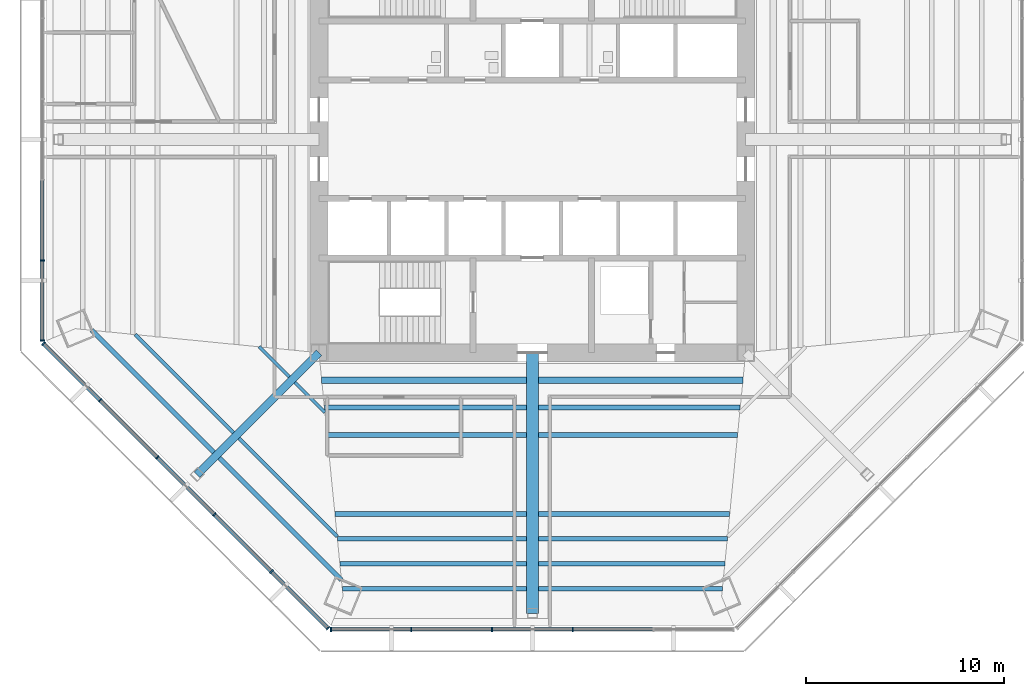
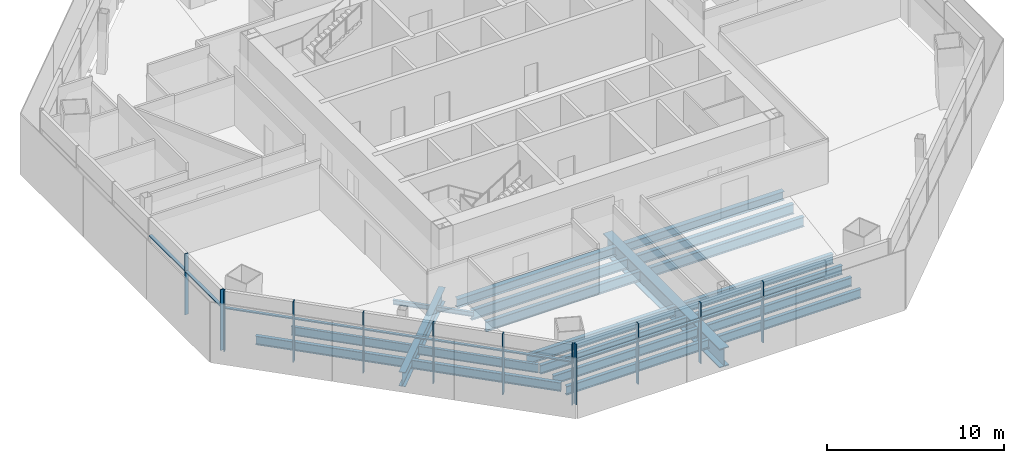
# One storey, part 2 of 14: 23 members, 22 beams, 3 elements without a shape of their own.
"""IFC4 building model written with IfcOpenShell, lengths in metres."""

from ifc_helpers import new_model, si_unit, direction, frame, origin, origin_2d, place, context, subcontext, project, spatial, rectangle, i_section, extrude, source, transform, mapped, material, material_profile, profile_set, type_object, type_shapes, element, aggregate, save


model = new_model("IFC4")

# Units and contexts
model_context = context("Model", 3, precision=1e-05, world=origin(), true_north=direction((0.0, 1.0)))
body_context = subcontext(model_context, "Body", "Model", "MODEL_VIEW")
ifc_project = project(units=[si_unit("LENGTHUNIT", "METRE"), si_unit("AREAUNIT", "SQUARE_METRE"), si_unit("VOLUMEUNIT", "CUBIC_METRE"), si_unit("PLANEANGLEUNIT", "RADIAN"), si_unit("MASSUNIT", "GRAM", prefix="KILO")], contexts=[model_context])

# Site, building, storey
site_placement = place(None, origin())
site = spatial("IfcSite", under=ifc_project, at=site_placement, CompositionType="ELEMENT")
building_placement = place(site_placement, origin())
building = spatial("IfcBuilding", under=site, at=building_placement, Name="Mashrafa Tower", CompositionType="ELEMENT")
storey_placement = place(building_placement, frame((0.0, 0.0, 113.39990234375)))
storey = spatial("IfcBuildingStorey", under=building, at=storey_placement, Name="L25", CompositionType="ELEMENT", Elevation=113.39990234375)

# Beams
ifc_material_1 = material(Name="Steel ASTM A572 Gr 50", Category="steel")
ifc_material_profile_1 = material_profile(ifc_material_1, i_section(OverallWidth=0.60009765625, OverallDepth=1.300048828125, WebThickness=0.028076171875, FlangeThickness=0.06494140625, at=origin_2d()), Name="H1300X600X28X65")
ifc_profile_set_1 = profile_set([ifc_material_profile_1], Name="Steel ASTM A572 Gr 50")
beam_type_1 = type_object("IfcBeamType", Name="Beam H1300X600X28X65", PredefinedType="BEAM", material=ifc_profile_set_1)
beam_1_placement = place(storey_placement, frame((0.0, -10.800048828125, -0.81494140625), z_axis=(0.0, -1.0, 0.0), x_axis=(1.0, 0.0, 0.0)))
element("IfcBeam", 1, at=beam_1_placement, inside=storey, type_object=beam_type_1, Name="Radial girder L25 084", PredefinedType="BEAM", context=body_context, shape_type="SweptSolid", body=[
    extrude(i_section(OverallWidth=0.60009765625, OverallDepth=1.300048828125, WebThickness=0.028076171875, FlangeThickness=0.06494140625, at=origin_2d()), origin(), (0.0, 0.0, 1.0), 13.21142578125),
])
ifc_material_2 = material(Name="Steel ASTM A992", Category="steel")
ifc_material_profile_2 = material_profile(ifc_material_2, i_section(OverallWidth=0.164794921875, OverallDepth=0.309814453125, WebThickness=0.005859375, FlangeThickness=0.009765625, FilletRadius=0.007568359375, at=origin_2d()), Name="W12X26")
ifc_profile_set_2 = profile_set([ifc_material_profile_2], Name="Steel ASTM A992")
beam_type_2 = type_object("IfcBeamType", Name="Beam W12X26", PredefinedType="BEAM", material=ifc_profile_set_2)
for number, where, z_axis, x_axis, name in (
    (2, (-12.306396484375, -12.0224609375, -0.31982421875), (-0.707050042428, 0.707163515393, 0.0), (-0.707163515393, -0.707050042428, 0.0), "Floor beam L25 022"),
    (3, (-10.5009765625, -13.82763671875, -0.31982421875), (-0.707163515393, 0.707050042428, 0.0), (-0.707050042428, -0.707163515393, 0.0), "Floor beam L25 026"),
):
    element("IfcBeam", number, at=place(storey_placement, frame(where, z_axis=z_axis, x_axis=x_axis)), inside=storey, type_object=beam_type_2, Name=name, PredefinedType="BEAM", context=body_context, shape_type="SweptSolid", body=[
        extrude(i_section(OverallWidth=0.164794921875, OverallDepth=0.309814453125, WebThickness=0.005859375, FlangeThickness=0.009765625, FilletRadius=0.007568359375, at=origin_2d()), origin(), (0.0, 0.0, 1.0), 2.151611328125),
    ])
ifc_material_3 = material(Name="Steel ASTM A992", Category="steel")
ifc_material_profile_3 = material_profile(ifc_material_3, i_section(OverallWidth=0.3251953125, OverallDepth=0.612060546875, WebThickness=0.0126953125, FlangeThickness=0.01904296875, FilletRadius=0.0126953125, at=origin_2d()), Name="W24X104")
ifc_profile_set_3 = profile_set([ifc_material_profile_3], Name="Steel ASTM A992")
beam_type_3 = type_object("IfcBeamType", Name="Beam W24X104", PredefinedType="BEAM", material=ifc_profile_set_3)
for number, where, z_axis, x_axis, name in (
    (4, (-0.300048828125, -12.18896484375, -0.470947265625), (-1.0, 0.0, 0.0), (0.0, -1.0, 0.0), "Floor beam L25 040"),
    (5, (10.662841796875, -12.18896484375, -0.470947265625), (-1.0, 0.0, 0.0), (0.0, -1.0, 0.0), "Floor beam L25 057"),
):
    element("IfcBeam", number, at=place(storey_placement, frame(where, z_axis=z_axis, x_axis=x_axis)), inside=storey, type_object=beam_type_3, Name=name, PredefinedType="BEAM", context=body_context, shape_type="SweptSolid", body=[
        extrude(i_section(OverallWidth=0.3251953125, OverallDepth=0.612060546875, WebThickness=0.0126953125, FlangeThickness=0.01904296875, FilletRadius=0.0126953125, at=origin_2d()), origin(), (0.0, 0.0, 1.0), 10.36279296875),
    ])
ifc_material_4 = material(Name="Steel ASTM A992", Category="steel")
ifc_material_profile_4 = material_profile(ifc_material_4, i_section(OverallWidth=0.177978515625, OverallDepth=0.599365234375, WebThickness=0.010009765625, FlangeThickness=0.012939453125, FilletRadius=0.012939453125, at=origin_2d()), Name="W24X55")
ifc_profile_set_4 = profile_set([ifc_material_profile_4], Name="Steel ASTM A992")
beam_type_4 = type_object("IfcBeamType", Name="Beam W24X55", PredefinedType="BEAM", material=ifc_profile_set_4)
for number, where, z_axis, x_axis, name in (
    (6, (-15.134765625, -14.850830078125, -0.464599609375), (-0.707106781187, 0.707106781187, 0.0), (-0.707106781187, -0.707106781187, 0.0), "Floor beam L25 013"),
    (7, (-9.881103515625, -20.1044921875, -0.464599609375), (-0.707106781187, 0.707106781187, 0.0), (-0.707106781187, -0.707106781187, 0.0), "Floor beam L25 029"),
):
    element("IfcBeam", number, at=place(storey_placement, frame(where, z_axis=z_axis, x_axis=x_axis)), inside=storey, type_object=beam_type_4, Name=name, PredefinedType="BEAM", context=body_context, shape_type="SweptSolid", body=[
        extrude(i_section(OverallWidth=0.177978515625, OverallDepth=0.599365234375, WebThickness=0.010009765625, FlangeThickness=0.012939453125, FilletRadius=0.012939453125, at=origin_2d()), origin(), (0.0, 0.0, 1.0), 7.0283203125),
    ])
ifc_material_5 = material(Name="Steel ASTM A992", Category="steel")
ifc_material_profile_5 = material_profile(ifc_material_5, i_section(OverallWidth=0.228271484375, OverallDepth=0.607177734375, WebThickness=0.01123046875, FlangeThickness=0.017333984375, FilletRadius=0.0126953125, at=origin_2d()), Name="W24X76")
ifc_profile_set_5 = profile_set([ifc_material_profile_5], Name="Steel ASTM A992")
beam_type_5 = type_object("IfcBeamType", Name="Beam W24X76", PredefinedType="BEAM", material=ifc_profile_set_5)
for number, where, z_axis, x_axis, name in (
    (8, (-16.127685546875, -15.84375, -0.468505859375), (-0.707106781187, 0.707106781187, 0.0), (-0.707106781187, -0.707106781187, 0.0), "Floor beam L25 011"),
    (9, (-9.66357421875, -22.307861328125, -0.468505859375), (-0.707106781187, 0.707106781187, 0.0), (-0.707106781187, -0.707106781187, 0.0), "Floor beam L25 032"),
):
    element("IfcBeam", number, at=place(storey_placement, frame(where, z_axis=z_axis, x_axis=x_axis)), inside=storey, type_object=beam_type_5, Name=name, PredefinedType="BEAM", context=body_context, shape_type="SweptSolid", body=[
        extrude(i_section(OverallWidth=0.228271484375, OverallDepth=0.607177734375, WebThickness=0.01123046875, FlangeThickness=0.017333984375, FilletRadius=0.0126953125, at=origin_2d()), origin(), (0.0, 0.0, 1.0), 8.739990234375),
    ])
ifc_material_6 = material(Name="Steel ASTM A992", Category="steel")
ifc_material_profile_6 = material_profile(ifc_material_6, i_section(OverallWidth=0.22900390625, OverallDepth=0.612060546875, WebThickness=0.011962890625, FlangeThickness=0.01953125, FilletRadius=0.0126953125, at=origin_2d()), Name="W24X84")
ifc_profile_set_6 = profile_set([ifc_material_profile_6], Name="Steel ASTM A992")
beam_type_6 = type_object("IfcBeamType", Name="Beam W24X84", PredefinedType="BEAM", material=ifc_profile_set_6)
beam_2_placement = place(storey_placement, frame((-0.300048828125, -22.75048828125, -0.470947265625), z_axis=(-1.0, 0.0, 0.0), x_axis=(0.0, -1.0, 0.0)))
element("IfcBeam", 10, at=beam_2_placement, inside=storey, type_object=beam_type_6, Name="Floor beam L25 034", PredefinedType="BEAM", context=body_context, shape_type="SweptSolid", body=[
    extrude(i_section(OverallWidth=0.22900390625, OverallDepth=0.612060546875, WebThickness=0.011962890625, FlangeThickness=0.01953125, FilletRadius=0.0126953125, at=origin_2d()), origin(), (0.0, 0.0, 1.0), 9.31982421875),
])
beam_3_placement = place(storey_placement, frame((-0.300048828125, -21.4892578125, -0.470947265625), z_axis=(-1.0, 0.0, 0.0), x_axis=(0.0, -1.0, 0.0)))
element("IfcBeam", 11, at=beam_3_placement, inside=storey, type_object=beam_type_6, Name="Floor beam L25 035", PredefinedType="BEAM", context=body_context, shape_type="SweptSolid", body=[
    extrude(i_section(OverallWidth=0.22900390625, OverallDepth=0.612060546875, WebThickness=0.011962890625, FlangeThickness=0.01953125, FilletRadius=0.0126953125, at=origin_2d()), origin(), (0.0, 0.0, 1.0), 9.4443359375),
])
beam_4_placement = place(storey_placement, frame((-0.300048828125, -20.22802734375, -0.470947265625), z_axis=(-1.0, 0.0, 0.0), x_axis=(0.0, -1.0, 0.0)))
element("IfcBeam", 12, at=beam_4_placement, inside=storey, type_object=beam_type_6, Name="Floor beam L25 036", PredefinedType="BEAM", context=body_context, shape_type="SweptSolid", body=[
    extrude(i_section(OverallWidth=0.22900390625, OverallDepth=0.612060546875, WebThickness=0.011962890625, FlangeThickness=0.01953125, FilletRadius=0.0126953125, at=origin_2d()), origin(), (0.0, 0.0, 1.0), 9.56884765625),
])
beam_5_placement = place(storey_placement, frame((9.619873046875, -22.75048828125, -0.470947265625), z_axis=(-1.0, 0.0, 0.0), x_axis=(0.0, -1.0, 0.0)))
element("IfcBeam", 13, at=beam_5_placement, inside=storey, type_object=beam_type_6, Name="Floor beam L25 048", PredefinedType="BEAM", context=body_context, shape_type="SweptSolid", body=[
    extrude(i_section(OverallWidth=0.22900390625, OverallDepth=0.612060546875, WebThickness=0.011962890625, FlangeThickness=0.01953125, FilletRadius=0.0126953125, at=origin_2d()), origin(), (0.0, 0.0, 1.0), 9.31982421875),
])
beam_6_placement = place(storey_placement, frame((9.744384765625, -21.4892578125, -0.470947265625), z_axis=(-1.0, 0.0, 0.0), x_axis=(0.0, -1.0, 0.0)))
element("IfcBeam", 14, at=beam_6_placement, inside=storey, type_object=beam_type_6, Name="Floor beam L25 050", PredefinedType="BEAM", context=body_context, shape_type="SweptSolid", body=[
    extrude(i_section(OverallWidth=0.22900390625, OverallDepth=0.612060546875, WebThickness=0.011962890625, FlangeThickness=0.01953125, FilletRadius=0.0126953125, at=origin_2d()), origin(), (0.0, 0.0, 1.0), 9.4443359375),
])
beam_7_placement = place(storey_placement, frame((9.868896484375, -20.22802734375, -0.470947265625), z_axis=(-1.0, 0.0, 0.0), x_axis=(0.0, -1.0, 0.0)))
element("IfcBeam", 15, at=beam_7_placement, inside=storey, type_object=beam_type_6, Name="Floor beam L25 051", PredefinedType="BEAM", context=body_context, shape_type="SweptSolid", body=[
    extrude(i_section(OverallWidth=0.22900390625, OverallDepth=0.612060546875, WebThickness=0.011962890625, FlangeThickness=0.01953125, FilletRadius=0.0126953125, at=origin_2d()), origin(), (0.0, 0.0, 1.0), 9.56884765625),
])
ifc_material_7 = material(Name="Steel ASTM A992", Category="steel")
ifc_material_profile_7 = material_profile(ifc_material_7, i_section(OverallWidth=0.25390625, OverallDepth=0.67822265625, WebThickness=0.01171875, FlangeThickness=0.016357421875, FilletRadius=0.01513671875, at=origin_2d()), Name="W27X84")
ifc_profile_set_7 = profile_set([ifc_material_profile_7], Name="Steel ASTM A992")
beam_type_7 = type_object("IfcBeamType", Name="Beam W27X84", PredefinedType="BEAM", material=ifc_profile_set_7)
for number, where, z_axis, x_axis, name in (
    (16, (-0.300048828125, -18.967041015625, -0.50390625), (-1.0, 0.0, 0.0), (0.0, -1.0, 0.0), "Floor beam L25 037"),
    (17, (9.993408203125, -18.967041015625, -0.50390625), (-1.0, 0.0, 0.0), (0.0, -1.0, 0.0), "Floor beam L25 053"),
):
    element("IfcBeam", number, at=place(storey_placement, frame(where, z_axis=z_axis, x_axis=x_axis)), inside=storey, type_object=beam_type_7, Name=name, PredefinedType="BEAM", context=body_context, shape_type="SweptSolid", body=[
        extrude(i_section(OverallWidth=0.25390625, OverallDepth=0.67822265625, WebThickness=0.01171875, FlangeThickness=0.016357421875, FilletRadius=0.01513671875, at=origin_2d()), origin(), (0.0, 0.0, 1.0), 9.693359375),
    ])
ifc_material_8 = material(Name="Steel ASTM A992", Category="steel")
ifc_material_profile_8 = material_profile(ifc_material_8, i_section(OverallWidth=0.25390625, OverallDepth=0.683349609375, WebThickness=0.012451171875, FlangeThickness=0.01904296875, FilletRadius=0.01513671875, at=origin_2d()), Name="W27X94")
ifc_profile_set_8 = profile_set([ifc_material_profile_8], Name="Steel ASTM A992")
beam_type_8 = type_object("IfcBeamType", Name="Beam W27X94", PredefinedType="BEAM", material=ifc_profile_set_8)
beam_8_placement = place(storey_placement, frame((-0.300048828125, -14.967041015625, -0.506591796875), z_axis=(-1.0, 0.0, 0.0), x_axis=(0.0, -1.0, 0.0)))
element("IfcBeam", 18, at=beam_8_placement, inside=storey, type_object=beam_type_8, Name="Floor beam L25 038", PredefinedType="BEAM", context=body_context, shape_type="SweptSolid", body=[
    extrude(i_section(OverallWidth=0.25390625, OverallDepth=0.683349609375, WebThickness=0.012451171875, FlangeThickness=0.01904296875, FilletRadius=0.01513671875, at=origin_2d()), origin(), (0.0, 0.0, 1.0), 10.08837890625),
])
beam_9_placement = place(storey_placement, frame((-0.300048828125, -13.577880859375, -0.506591796875), z_axis=(-1.0, 0.0, 0.0), x_axis=(0.0, -1.0, 0.0)))
element("IfcBeam", 19, at=beam_9_placement, inside=storey, type_object=beam_type_8, Name="Floor beam L25 039", PredefinedType="BEAM", context=body_context, shape_type="SweptSolid", body=[
    extrude(i_section(OverallWidth=0.25390625, OverallDepth=0.683349609375, WebThickness=0.012451171875, FlangeThickness=0.01904296875, FilletRadius=0.01513671875, at=origin_2d()), origin(), (0.0, 0.0, 1.0), 10.2255859375),
])
beam_10_placement = place(storey_placement, frame((10.388427734375, -14.967041015625, -0.506591796875), z_axis=(-1.0, 0.0, 0.0), x_axis=(0.0, -1.0, 0.0)))
element("IfcBeam", 20, at=beam_10_placement, inside=storey, type_object=beam_type_8, Name="Floor beam L25 054", PredefinedType="BEAM", context=body_context, shape_type="SweptSolid", body=[
    extrude(i_section(OverallWidth=0.25390625, OverallDepth=0.683349609375, WebThickness=0.012451171875, FlangeThickness=0.01904296875, FilletRadius=0.01513671875, at=origin_2d()), origin(), (0.0, 0.0, 1.0), 10.08837890625),
])
beam_11_placement = place(storey_placement, frame((10.525634765625, -13.577880859375, -0.506591796875), z_axis=(-1.0, 0.0, 0.0), x_axis=(0.0, -1.0, 0.0)))
element("IfcBeam", 21, at=beam_11_placement, inside=storey, type_object=beam_type_8, Name="Floor beam L25 056", PredefinedType="BEAM", context=body_context, shape_type="SweptSolid", body=[
    extrude(i_section(OverallWidth=0.25390625, OverallDepth=0.683349609375, WebThickness=0.012451171875, FlangeThickness=0.01904296875, FilletRadius=0.01513671875, at=origin_2d()), origin(), (0.0, 0.0, 1.0), 10.2255859375),
])
ifc_material_9 = material(Name="Steel ASTM A992", Category="steel")
ifc_material_profile_9 = material_profile(ifc_material_9, i_section(OverallWidth=0.4013671875, OverallDepth=0.98291015625, WebThickness=0.0166015625, FlangeThickness=0.027099609375, FilletRadius=0.0126953125, at=origin_2d()), Name="W40X199")
ifc_profile_set_9 = profile_set([ifc_material_profile_9], Name="Steel ASTM A992")
beam_type_9 = type_object("IfcBeamType", Name="Beam W40X199", PredefinedType="BEAM", material=ifc_profile_set_9)
beam_12_placement = place(storey_placement, frame((-10.800048828125, -10.800048828125, -0.656494140625), z_axis=(-0.707106781187, -0.707106781187, 0.0), x_axis=(0.707106781187, -0.707106781187, 0.0)))
element("IfcBeam", 22, at=beam_12_placement, inside=storey, type_object=beam_type_9, Name="Radial girder L25 081", PredefinedType="BEAM", context=body_context, shape_type="SweptSolid", body=[
    extrude(i_section(OverallWidth=0.4013671875, OverallDepth=0.98291015625, WebThickness=0.0166015625, FlangeThickness=0.027099609375, FilletRadius=0.0126953125, at=origin_2d()), origin(), (0.0, 0.0, 1.0), 8.738037109375),
])

# Curtain wall, members
ifc_material_10 = material(Name="Unitised aluminium curtain wall", Category="aluminium")
curtain_wall_type = type_object("IfcCurtainWallType", Name="Office curtain wall, zone 2 CW-B 225 deep", PredefinedType="NOTDEFINED", material=ifc_material_10)
curtain_wall_1_placement = place(storey_placement, origin())
curtain_wall_1 = element("IfcCurtainWall", 23, at=curtain_wall_1_placement, inside=storey, type_object=curtain_wall_type, Name="Office curtain wall, zone 2 L25 west", PredefinedType="NOTDEFINED")
ifc_material_11 = material(Name="Extruded aluminium mullion", Category="aluminium")
ifc_material_profile_10 = material_profile(ifc_material_11, rectangle(XDim=0.22509765625, YDim=0.06494140625, at=origin_2d()), Name="Mullion 65x225")
ifc_profile_set_10 = profile_set([ifc_material_profile_10], Name="Extruded aluminium mullion")
member_type_1 = type_object("IfcMemberType", Name="Mullion CW-B 65 x 225", PredefinedType="MULLION", material=ifc_profile_set_10)
shared_shape_1 = source(origin(), body_context, "Body", "SweptSolid", [
    extrude(rectangle(XDim=0.22509765625, YDim=0.06494140625, at=origin_2d()), origin(), (0.0, 0.0, 1.0), 4.2001953125),
])
type_shapes(member_type_1, [shared_shape_1])
member_1_placement = place(storey_placement, frame((-24.806884765625, -6.13134765625, 0.0), z_axis=(0.0, 0.0, 1.0), x_axis=(1.0, 0.0, 0.0)))
member_1 = element("IfcMember", 24, at=member_1_placement, type_object=member_type_1, Name="CW-B mullion 5", PredefinedType="MULLION", context=body_context, shape_type="MappedRepresentation", body=[
    mapped(shared_shape_1, transform((0.0, 0.0, 0.0))),
])
member_2_placement = place(storey_placement, frame((-24.806884765625, -10.186279296875, 0.0), z_axis=(0.0, 0.0, 1.0), x_axis=(1.0, 0.0, 0.0)))
member_2 = element("IfcMember", 25, at=member_2_placement, type_object=member_type_1, Name="CW-B mullion 6", PredefinedType="MULLION", context=body_context, shape_type="MappedRepresentation", body=[
    mapped(shared_shape_1, transform((0.0, 0.0, 0.0))),
])

curtain_wall_2_placement = place(storey_placement, origin())
curtain_wall_2 = element("IfcCurtainWall", 26, at=curtain_wall_2_placement, inside=storey, type_object=curtain_wall_type, Name="Office curtain wall, zone 2 L25 south-west", PredefinedType="NOTDEFINED")
member_3_placement = place(storey_placement, frame((-24.743896484375, -10.33837890625, 0.0), z_axis=(0.0, 0.0, 1.0), x_axis=(0.707106781187, 0.707106781187, 0.0)))
member_3 = element("IfcMember", 27, at=member_3_placement, type_object=member_type_1, Name="CW-B mullion 1", PredefinedType="MULLION", context=body_context, shape_type="MappedRepresentation", body=[
    mapped(shared_shape_1, transform((0.0, 0.0, 0.0))),
])
member_4_placement = place(storey_placement, frame((-21.87646484375, -13.20556640625, 0.0), z_axis=(0.0, 0.0, 1.0), x_axis=(0.707106781187, 0.707106781187, 0.0)))
member_4 = element("IfcMember", 28, at=member_4_placement, type_object=member_type_1, Name="CW-B mullion 2", PredefinedType="MULLION", context=body_context, shape_type="MappedRepresentation", body=[
    mapped(shared_shape_1, transform((0.0, 0.0, 0.0))),
])
member_5_placement = place(storey_placement, frame((-18.986083984375, -16.095947265625, 0.0), z_axis=(0.0, 0.0, 1.0), x_axis=(0.707106781187, 0.707106781187, 0.0)))
member_5 = element("IfcMember", 29, at=member_5_placement, type_object=member_type_1, Name="CW-B mullion 3", PredefinedType="MULLION", context=body_context, shape_type="MappedRepresentation", body=[
    mapped(shared_shape_1, transform((0.0, 0.0, 0.0))),
])
member_6_placement = place(storey_placement, frame((-16.095947265625, -18.986083984375, 0.0), z_axis=(0.0, 0.0, 1.0), x_axis=(0.707106781187, 0.707106781187, 0.0)))
member_6 = element("IfcMember", 30, at=member_6_placement, type_object=member_type_1, Name="CW-B mullion 4", PredefinedType="MULLION", context=body_context, shape_type="MappedRepresentation", body=[
    mapped(shared_shape_1, transform((0.0, 0.0, 0.0))),
])
member_7_placement = place(storey_placement, frame((-13.20556640625, -21.87646484375, 0.0), z_axis=(0.0, 0.0, 1.0), x_axis=(0.707106781187, 0.707106781187, 0.0)))
member_7 = element("IfcMember", 31, at=member_7_placement, type_object=member_type_1, Name="CW-B mullion 5", PredefinedType="MULLION", context=body_context, shape_type="MappedRepresentation", body=[
    mapped(shared_shape_1, transform((0.0, 0.0, 0.0))),
])
member_8_placement = place(storey_placement, frame((-10.33837890625, -24.743896484375, 0.0), z_axis=(0.0, 0.0, 1.0), x_axis=(0.707106781187, 0.707106781187, 0.0)))
member_8 = element("IfcMember", 32, at=member_8_placement, type_object=member_type_1, Name="CW-B mullion 6", PredefinedType="MULLION", context=body_context, shape_type="MappedRepresentation", body=[
    mapped(shared_shape_1, transform((0.0, 0.0, 0.0))),
])

curtain_wall_3_placement = place(storey_placement, origin())
curtain_wall_3 = element("IfcCurtainWall", 33, at=curtain_wall_3_placement, inside=storey, type_object=curtain_wall_type, Name="Office curtain wall, zone 2 L25 south", PredefinedType="NOTDEFINED")
member_9_placement = place(storey_placement, frame((-10.186279296875, -24.806884765625, 0.0), z_axis=(0.0, 0.0, 1.0), x_axis=(0.0, 1.0, 0.0)))
member_9 = element("IfcMember", 34, at=member_9_placement, type_object=member_type_1, Name="CW-B mullion 1", PredefinedType="MULLION", context=body_context, shape_type="MappedRepresentation", body=[
    mapped(shared_shape_1, transform((0.0, 0.0, 0.0))),
])
member_10_placement = place(storey_placement, frame((-6.13134765625, -24.806884765625, 0.0), z_axis=(0.0, 0.0, 1.0), x_axis=(0.0, 1.0, 0.0)))
member_10 = element("IfcMember", 35, at=member_10_placement, type_object=member_type_1, Name="CW-B mullion 2", PredefinedType="MULLION", context=body_context, shape_type="MappedRepresentation", body=[
    mapped(shared_shape_1, transform((0.0, 0.0, 0.0))),
])
member_11_placement = place(storey_placement, frame((-2.043701171875, -24.806884765625, 0.0), z_axis=(0.0, 0.0, 1.0), x_axis=(0.0, 1.0, 0.0)))
member_11 = element("IfcMember", 36, at=member_11_placement, type_object=member_type_1, Name="CW-B mullion 3", PredefinedType="MULLION", context=body_context, shape_type="MappedRepresentation", body=[
    mapped(shared_shape_1, transform((0.0, 0.0, 0.0))),
])
member_12_placement = place(storey_placement, frame((2.043701171875, -24.806884765625, 0.0), z_axis=(0.0, 0.0, 1.0), x_axis=(0.0, 1.0, 0.0)))
member_12 = element("IfcMember", 37, at=member_12_placement, type_object=member_type_1, Name="CW-B mullion 4", PredefinedType="MULLION", context=body_context, shape_type="MappedRepresentation", body=[
    mapped(shared_shape_1, transform((0.0, 0.0, 0.0))),
])

# Member
ifc_material_12 = material(Name="Extruded aluminium transom", Category="aluminium")
ifc_material_profile_11 = material_profile(ifc_material_12, rectangle(XDim=0.179931640625, YDim=0.080078125, at=origin_2d()), Name="Transom 80x180")
ifc_profile_set_11 = profile_set([ifc_material_profile_11], Name="Extruded aluminium transom")
member_type_2 = type_object("IfcMemberType", Name="Transom CW-B 80 x 180", PredefinedType="MULLION", material=ifc_profile_set_11)
shared_shape_2 = source(origin(), body_context, "Body", "SweptSolid", [
    extrude(rectangle(XDim=0.179931640625, YDim=0.080078125, at=origin_2d()), origin(), (0.0, 0.0, 1.0), 3.989990234375),
])
member_13_placement = place(storey_placement, frame((-24.806884765625, -6.163818359375, 3.0), z_axis=(0.0, -1.0, 0.0), x_axis=(1.0, 0.0, 0.0)))
member_13 = element("IfcMember", 38, at=member_13_placement, type_object=member_type_2, Name="CW-B transom 5", PredefinedType="MULLION", context=body_context, shape_type="MappedRepresentation", body=[
    mapped(shared_shape_2, transform((0.0, 0.0, 0.0))),
])

member_14_placement = place(storey_placement, frame((-24.720703125, -10.361328125, 3.0), z_axis=(0.707106781187, -0.707106781187, 0.0), x_axis=(0.707106781187, 0.707106781187, 0.0)))
member_14 = element("IfcMember", 39, at=member_14_placement, type_object=member_type_2, Name="CW-B transom 1", PredefinedType="MULLION", context=body_context, shape_type="MappedRepresentation", body=[
    mapped(shared_shape_2, transform((0.0, 0.0, 0.0))),
])

member_15_placement = place(storey_placement, frame((-13.1826171875, -21.8994140625, 3.0), z_axis=(0.707106781187, -0.707106781187, 0.0), x_axis=(0.707106781187, 0.707106781187, 0.0)))
member_15 = element("IfcMember", 40, at=member_15_placement, type_object=member_type_2, Name="CW-B transom 5", PredefinedType="MULLION", context=body_context, shape_type="MappedRepresentation", body=[
    mapped(shared_shape_2, transform((0.0, 0.0, 0.0))),
])

member_16_placement = place(storey_placement, frame((-10.15380859375, -24.806884765625, 3.0), z_axis=(1.0, 0.0, 0.0), x_axis=(0.0, 1.0, 0.0)))
member_16 = element("IfcMember", 41, at=member_16_placement, type_object=member_type_2, Name="CW-B transom 1", PredefinedType="MULLION", context=body_context, shape_type="MappedRepresentation", body=[
    mapped(shared_shape_2, transform((0.0, 0.0, 0.0))),
])

shared_shape_3 = source(origin(), body_context, "Body", "SweptSolid", [
    extrude(rectangle(XDim=0.179931640625, YDim=0.080078125, at=origin_2d()), origin(), (0.0, 0.0, 1.0), 4.0224609375),
])
type_shapes(member_type_2, [shared_shape_2, shared_shape_3])
member_17_placement = place(storey_placement, frame((-24.806884765625, -2.076171875, 3.0), z_axis=(0.0, -1.0, 0.0), x_axis=(1.0, 0.0, 0.0)))
member_17 = element("IfcMember", 42, at=member_17_placement, type_object=member_type_2, Name="CW-B transom 4", PredefinedType="MULLION", context=body_context, shape_type="MappedRepresentation", body=[
    mapped(shared_shape_3, transform((0.0, 0.0, 0.0))),
])

aggregate(curtain_wall_1, [member_1, member_2, member_17, member_13])

member_18_placement = place(storey_placement, frame((-21.853515625, -13.228515625, 3.0), z_axis=(0.707076433907, -0.707137127163, 0.0), x_axis=(0.707137127163, 0.707076433907, 0.0)))
member_18 = element("IfcMember", 43, at=member_18_placement, type_object=member_type_2, Name="CW-B transom 2", PredefinedType="MULLION", context=body_context, shape_type="MappedRepresentation", body=[
    mapped(shared_shape_3, transform((0.0, 0.0, 0.0))),
])

member_19_placement = place(storey_placement, frame((-18.963134765625, -16.118896484375, 3.0), z_axis=(0.707106781187, -0.707106781187, 0.0), x_axis=(0.707106781187, 0.707106781187, 0.0)))
member_19 = element("IfcMember", 44, at=member_19_placement, type_object=member_type_2, Name="CW-B transom 3", PredefinedType="MULLION", context=body_context, shape_type="MappedRepresentation", body=[
    mapped(shared_shape_3, transform((0.0, 0.0, 0.0))),
])

member_20_placement = place(storey_placement, frame((-16.072998046875, -19.00927734375, 3.0), z_axis=(0.707137127163, -0.707076433907, 0.0), x_axis=(0.707076433907, 0.707137127163, 0.0)))
member_20 = element("IfcMember", 45, at=member_20_placement, type_object=member_type_2, Name="CW-B transom 4", PredefinedType="MULLION", context=body_context, shape_type="MappedRepresentation", body=[
    mapped(shared_shape_3, transform((0.0, 0.0, 0.0))),
])

aggregate(curtain_wall_2, [member_3, member_4, member_5, member_6, member_7, member_8, member_14, member_18, member_19, member_20, member_15])

member_21_placement = place(storey_placement, frame((-6.0986328125, -24.806884765625, 3.0), z_axis=(1.0, 0.0, 0.0), x_axis=(0.0, 1.0, 0.0)))
member_21 = element("IfcMember", 46, at=member_21_placement, type_object=member_type_2, Name="CW-B transom 2", PredefinedType="MULLION", context=body_context, shape_type="MappedRepresentation", body=[
    mapped(shared_shape_3, transform((0.0, 0.0, 0.0))),
])

member_22_placement = place(storey_placement, frame((-2.01123046875, -24.806884765625, 3.0), z_axis=(1.0, 0.0, 0.0), x_axis=(0.0, 1.0, 0.0)))
member_22 = element("IfcMember", 47, at=member_22_placement, type_object=member_type_2, Name="CW-B transom 3", PredefinedType="MULLION", context=body_context, shape_type="MappedRepresentation", body=[
    mapped(shared_shape_3, transform((0.0, 0.0, 0.0))),
])

member_23_placement = place(storey_placement, frame((2.076171875, -24.806884765625, 3.0), z_axis=(1.0, 0.0, 0.0), x_axis=(0.0, 1.0, 0.0)))
member_23 = element("IfcMember", 48, at=member_23_placement, type_object=member_type_2, Name="CW-B transom 4", PredefinedType="MULLION", context=body_context, shape_type="MappedRepresentation", body=[
    mapped(shared_shape_3, transform((0.0, 0.0, 0.0))),
])

aggregate(curtain_wall_3, [member_9, member_10, member_11, member_12, member_16, member_21, member_22, member_23])

save(model, "model.ifc")
